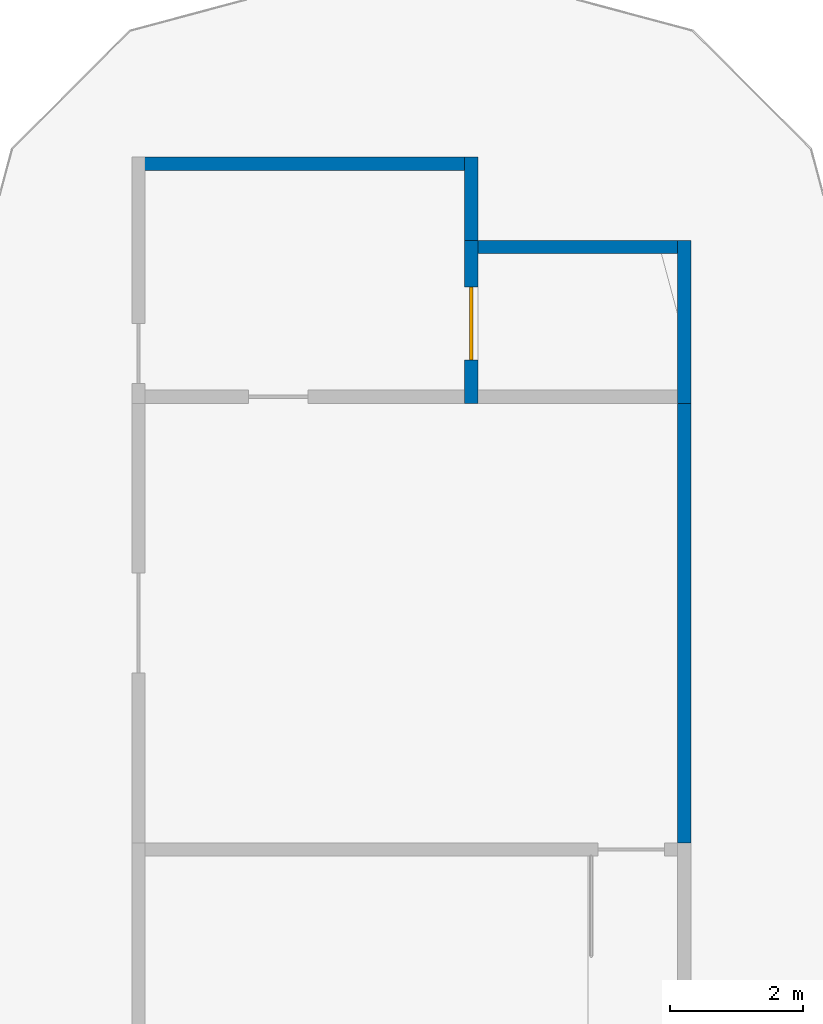
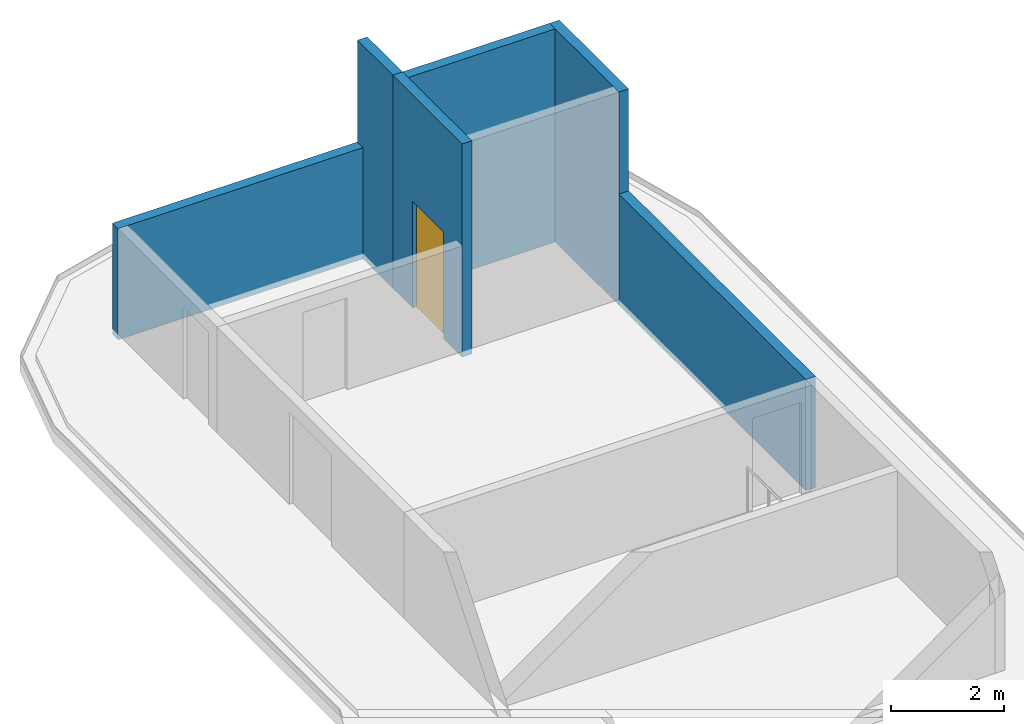
# One storey, part 2 of 3: 6 walls, 1 door, 1 opening.
"""IFC4 building model written with IfcOpenShell, lengths in metres."""

from ifc_helpers import new_model, si_unit, direction, frame, frame_2d, origin, place, context, subcontext, project, spatial, rectangle, extrude, material, layer, layer_set, type_object, element, fill, save


model = new_model("IFC4")

# Units and contexts
model_context = context("Model", 3, precision=1e-05, world=origin(), true_north=direction((0.0, 1.0)))
body_context = subcontext(model_context, "Body", "Model", "MODEL_VIEW")
ifc_project = project(units=[si_unit("LENGTHUNIT", "METRE"), si_unit("AREAUNIT", "SQUARE_METRE"), si_unit("VOLUMEUNIT", "CUBIC_METRE"), si_unit("PLANEANGLEUNIT", "RADIAN"), si_unit("MASSUNIT", "GRAM", prefix="KILO")], contexts=[model_context])

# Site, building, storey
site_placement = place(None, origin())
site = spatial("IfcSite", under=ifc_project, at=site_placement, CompositionType="ELEMENT")
building_placement = place(site_placement, origin())
building = spatial("IfcBuilding", under=site, at=building_placement, Name="Zarbagh Exchange Tower", CompositionType="ELEMENT")
storey_placement = place(building_placement, frame((0.0, 0.0, 320.39990234375)))
storey = spatial("IfcBuildingStorey", under=building, at=storey_placement, Name="Roof", CompositionType="ELEMENT", Elevation=320.39990234375)

# Wall
ifc_material_1 = material(Name="Dense blockwork", Category="masonry")
ifc_layer_1 = layer(ifc_material_1, 0.199951171875)
ifc_layer_set_1 = layer_set([ifc_layer_1], Name="Shaft wall 200 mm blockwork")
wall_type_1 = type_object("IfcWallType", Name="Shaft wall 200 mm blockwork", PredefinedType="PARTITIONING", material=ifc_layer_set_1)
wall_1_placement = place(storey_placement, frame((0.89990234375, 28.550048828125, 0.0), z_axis=(0.0, 0.0, 1.0), x_axis=(0.0, -1.0, 0.0)))
element("IfcWall", 1, at=wall_1_placement, inside=storey, type_object=wall_type_1, Name="North core roof lift lobby wall LE", PredefinedType="PARTITIONING", context=body_context, shape_type="SweptSolid", body=[
    extrude(rectangle(XDim=1.25, YDim=0.199951171875, at=frame_2d((0.625, 0.0))), origin(), (0.0, 0.0, 1.0), 4.60009765625),
])

# Wall, opening, door
ifc_material_2 = material(Name="Concrete C40/50", Category="concrete")
ifc_layer_2 = layer(ifc_material_2, 0.199951171875)
ifc_layer_set_2 = layer_set([ifc_layer_2], Name="Stair enclosure wall 200 mm RC C40/50")
wall_type_2 = type_object("IfcWallType", Name="Stair enclosure wall 200 mm RC C40/50", PredefinedType="SHEAR", material=ifc_layer_set_2)
wall_2_placement = place(storey_placement, frame((0.89990234375, 27.300048828125, 0.0), z_axis=(0.0, 0.0, 1.0), x_axis=(0.0, -1.0, 0.0)))
wall_2 = element("IfcWall", 2, at=wall_2_placement, inside=storey, type_object=wall_type_2, Name="North core lift overrun housing wall L", PredefinedType="SHEAR", context=body_context, shape_type="SweptSolid", body=[
    extrude(rectangle(XDim=2.449951171875, YDim=0.199951171875, at=frame_2d((1.22509765625, 0.0))), origin(), (0.0, 0.0, 1.0), 4.60009765625),
])
opening_placement = place(wall_2_placement, frame((0.699951171875, 0.0, 0.0)))
opening = element("IfcOpeningElement", 3, at=opening_placement, cuts=wall_2, Name="Opening LD-1100", PredefinedType="OPENING", context=body_context, shape_type="SweptSolid", body=[
    extrude(rectangle(XDim=1.10009765625, YDim=2.300048828125, at=frame_2d((0.550048828125, 1.14990234375))), frame((0.0, 0.10986328125, 0.0), z_axis=(0.0, -1.0, 0.0), x_axis=(1.0, 0.0, 0.0)), (0.0, 0.0, 1.0), 0.219970703125),
])
ifc_material_3 = material(Name="Stainless steel", Category="steel")
door_type = type_object("IfcDoorType", Name="Lift landing door 1100 x 2300", OperationType="NOTDEFINED", PredefinedType="DOOR", material=ifc_material_3)
door_placement = place(opening_placement, origin())
door = element("IfcDoor", 4, at=door_placement, inside=storey, type_object=door_type, Name="North core lift landing door LD-F", OperationType="DOUBLE_DOOR_SLIDING", OverallHeight=2.300048828125, OverallWidth=1.10009765625, PredefinedType="DOOR", context=body_context, shape_type="SweptSolid", body=[
    extrude(rectangle(XDim=1.10009765625, YDim=2.300048828125, at=frame_2d((0.550048828125, 1.14990234375))), frame((0.0, 0.02490234375, 0.0), z_axis=(0.0, -1.0, 0.0), x_axis=(1.0, 0.0, 0.0)), (0.0, 0.0, 1.0), 0.050048828125),
])
fill(opening, door)

# Walls
wall_3_placement = place(storey_placement, frame((4.10009765625, 27.300048828125, 0.0), z_axis=(0.0, 0.0, 1.0), x_axis=(0.0, -1.0, 0.0)))
element("IfcWall", 5, at=wall_3_placement, inside=storey, type_object=wall_type_2, Name="North core lift overrun housing wall O", PredefinedType="SHEAR", context=body_context, shape_type="SweptSolid", body=[
    extrude(rectangle(XDim=2.449951171875, YDim=0.199951171875, at=frame_2d((1.22509765625, 0.0))), origin(), (0.0, 0.0, 1.0), 4.60009765625),
])
wall_4_placement = place(storey_placement, frame((0.800048828125, 27.199951171875, 0.0), z_axis=(0.0, 0.0, 1.0), x_axis=(1.0, 0.0, 0.0)))
element("IfcWall", 6, at=wall_4_placement, inside=storey, type_object=wall_type_2, Name="North core lift overrun housing wall T", PredefinedType="SHEAR", context=body_context, shape_type="SweptSolid", body=[
    extrude(rectangle(XDim=3.39990234375, YDim=0.199951171875, at=frame_2d((1.699951171875, 0.0))), origin(), (0.0, 0.0, 1.0), 4.60009765625),
])
wall_5_placement = place(storey_placement, frame((-4.199951171875, 28.449951171875, 0.0), z_axis=(0.0, 0.0, 1.0), x_axis=(1.0, 0.0, 0.0)))
element("IfcWall", 7, at=wall_5_placement, inside=storey, type_object=wall_type_2, Name="North core roof lift lobby wall LT", PredefinedType="SHEAR", context=body_context, shape_type="SweptSolid", body=[
    extrude(rectangle(XDim=5.199951171875, YDim=0.199951171875, at=frame_2d((2.60009765625, 0.0))), origin(), (0.0, 0.0, 1.0), 2.400146484375),
])
wall_6_placement = place(storey_placement, frame((4.10009765625, 24.85009765625, 0.0), z_axis=(0.0, 0.0, 1.0), x_axis=(0.0, -1.0, 0.0)))
element("IfcWall", 8, at=wall_6_placement, inside=storey, type_object=wall_type_2, Name="North core roof corridor wall PE", PredefinedType="SHEAR", context=body_context, shape_type="SweptSolid", body=[
    extrude(rectangle(XDim=6.60009765625, YDim=0.199951171875, at=frame_2d((3.300048828125, 0.0))), origin(), (0.0, 0.0, 1.0), 2.400146484375),
])

save(model, "model.ifc")
